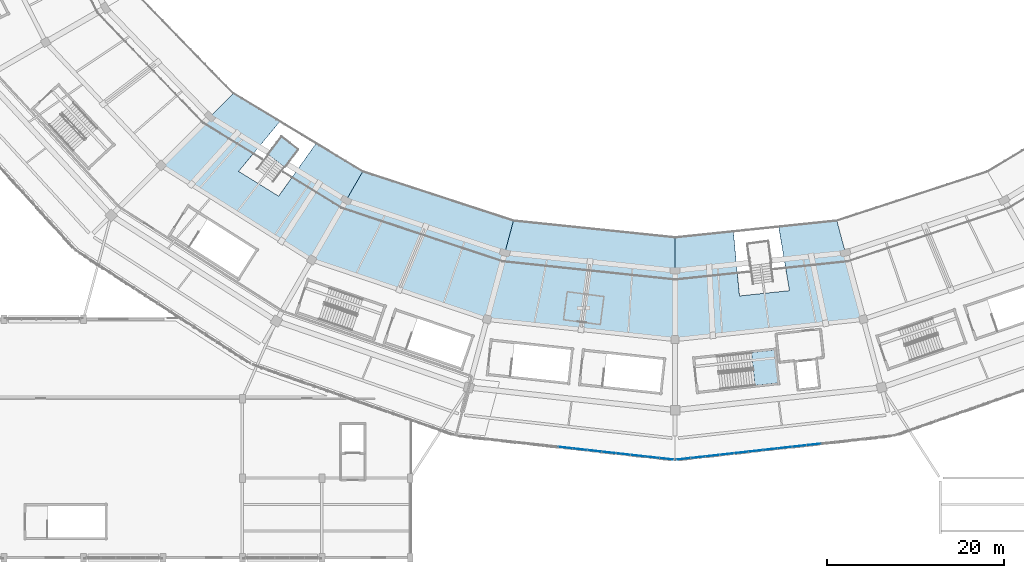
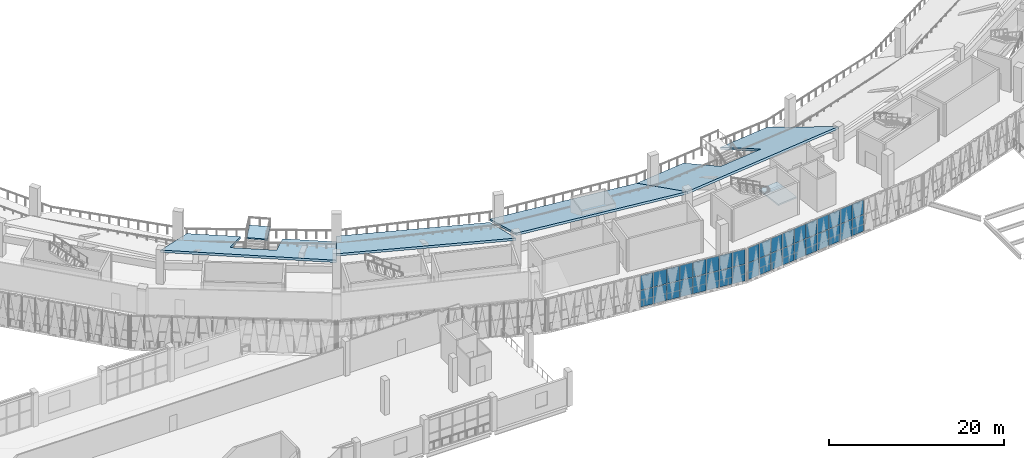
# One storey, part 73 of 152: 36 plates, 6 slabs, 4 elements without a shape of their own.
"""IFC4 building model written with IfcOpenShell, lengths in metres."""

from ifc_helpers import new_model, si_unit, direction, frame, origin, origin_2d, place, context, subcontext, project, spatial, polyline, rectangle, outline, extrude, material, layer, layer_set, type_object, element, aggregate, save


model = new_model("IFC4")

# Units and contexts
model_context = context("Model", 3, precision=1e-05, world=origin(), true_north=direction((0.0, 1.0)))
body_context = subcontext(model_context, "Body", "Model", "MODEL_VIEW")
ifc_project = project(units=[si_unit("LENGTHUNIT", "METRE"), si_unit("AREAUNIT", "SQUARE_METRE"), si_unit("VOLUMEUNIT", "CUBIC_METRE"), si_unit("PLANEANGLEUNIT", "RADIAN"), si_unit("MASSUNIT", "GRAM", prefix="KILO")], contexts=[model_context])

# Site, building, storey
site_placement = place(None, origin())
site = spatial("IfcSite", under=ifc_project, at=site_placement, CompositionType="ELEMENT")
building_placement = place(site_placement, origin())
building = spatial("IfcBuilding", under=site, at=building_placement, Name="Zevraka Park Crest Stadium", CompositionType="ELEMENT")
storey_placement = place(building_placement, frame((0.0, 0.0, 15.0)))
storey = spatial("IfcBuildingStorey", under=building, at=storey_placement, Name="L03", CompositionType="ELEMENT", Elevation=15.0)

# Curtain wall, plates
ifc_material_1 = material(Name="Anodised architectural aluminium and laminated safety glass", Category="aluminium")
curtain_wall_type = type_object("IfcCurtainWallType", Name="CW11", PredefinedType="NOTDEFINED", material=ifc_material_1)
curtain_wall_1_placement = place(storey_placement, origin())
curtain_wall_1 = element("IfcCurtainWall", 1, at=curtain_wall_1_placement, inside=storey, type_object=curtain_wall_type, Name="Unitised Ring Curtain Wall CW11 L03-17", PredefinedType="NOTDEFINED")
ifc_material_2 = material(Name="Solar-control laminated double glazing", Category="glass")
ifc_layer_1 = layer(ifc_material_2, 0.028076171875)
ifc_layer_set_1 = layer_set([ifc_layer_1], Name="Solar-control laminated double glazing")
plate_type = type_object("IfcPlateType", Name="CP11", PredefinedType="CURTAIN_PANEL", material=ifc_layer_set_1)
plate_1_placement = place(storey_placement, frame((99.58544921875, 12.45947265625, 0.06494140625), z_axis=(0.0, 0.0, 1.0), x_axis=(0.993887680665, -0.110396006373, 0.0)))
plate_1 = element("IfcPlate", 2, at=plate_1_placement, type_object=plate_type, Name="CW11 panel 8.1", PredefinedType="CURTAIN_PANEL", context=body_context, shape_type="SweptSolid", body=[
    extrude(rectangle(XDim=1.5830078125, YDim=0.028076171875, at=origin_2d()), origin(), (0.0, 0.0, 1.0), 2.302490234375),
])
plate_2_placement = place(storey_placement, frame((99.58544921875, 12.45947265625, 2.4326171875), z_axis=(0.0, 0.0, 1.0), x_axis=(0.993887680665, -0.110396006373, 0.0)))
plate_2 = element("IfcPlate", 3, at=plate_2_placement, type_object=plate_type, Name="CW11 panel 8.2", PredefinedType="CURTAIN_PANEL", context=body_context, shape_type="SweptSolid", body=[
    extrude(rectangle(XDim=1.5830078125, YDim=0.028076171875, at=origin_2d()), origin(), (0.0, 0.0, 1.0), 2.04248046875),
])
plate_3_placement = place(storey_placement, frame((101.223388671875, 12.277587890625, 0.06494140625), z_axis=(0.0, 0.0, 1.0), x_axis=(0.993887680665, -0.110396006373, 0.0)))
plate_3 = element("IfcPlate", 4, at=plate_3_placement, type_object=plate_type, Name="CW11 panel 9.1", PredefinedType="CURTAIN_PANEL", context=body_context, shape_type="SweptSolid", body=[
    extrude(rectangle(XDim=1.5830078125, YDim=0.028076171875, at=origin_2d()), origin(), (0.0, 0.0, 1.0), 2.302490234375),
])
plate_4_placement = place(storey_placement, frame((101.223388671875, 12.277587890625, 2.4326171875), z_axis=(0.0, 0.0, 1.0), x_axis=(0.993887680665, -0.110396006373, 0.0)))
plate_4 = element("IfcPlate", 5, at=plate_4_placement, type_object=plate_type, Name="CW11 panel 9.2", PredefinedType="CURTAIN_PANEL", context=body_context, shape_type="SweptSolid", body=[
    extrude(rectangle(XDim=1.5830078125, YDim=0.028076171875, at=origin_2d()), origin(), (0.0, 0.0, 1.0), 2.04248046875),
])
plate_5_placement = place(storey_placement, frame((102.861328125, 12.095703125, 0.06494140625), z_axis=(0.0, 0.0, 1.0), x_axis=(0.993887680665, -0.110396006373, 0.0)))
plate_5 = element("IfcPlate", 6, at=plate_5_placement, type_object=plate_type, Name="CW11 panel 10.1", PredefinedType="CURTAIN_PANEL", context=body_context, shape_type="SweptSolid", body=[
    extrude(rectangle(XDim=1.5830078125, YDim=0.028076171875, at=origin_2d()), origin(), (0.0, 0.0, 1.0), 2.302490234375),
])
plate_6_placement = place(storey_placement, frame((102.861328125, 12.095703125, 2.4326171875), z_axis=(0.0, 0.0, 1.0), x_axis=(0.993887680665, -0.110396006373, 0.0)))
plate_6 = element("IfcPlate", 7, at=plate_6_placement, type_object=plate_type, Name="CW11 panel 10.2", PredefinedType="CURTAIN_PANEL", context=body_context, shape_type="SweptSolid", body=[
    extrude(rectangle(XDim=1.5830078125, YDim=0.028076171875, at=origin_2d()), origin(), (0.0, 0.0, 1.0), 2.04248046875),
])
plate_7_placement = place(storey_placement, frame((104.499267578125, 11.913818359375, 0.06494140625), z_axis=(0.0, 0.0, 1.0), x_axis=(0.993887680665, -0.110396006373, 0.0)))
plate_7 = element("IfcPlate", 8, at=plate_7_placement, type_object=plate_type, Name="CW11 panel 11.1", PredefinedType="CURTAIN_PANEL", context=body_context, shape_type="SweptSolid", body=[
    extrude(rectangle(XDim=1.5830078125, YDim=0.028076171875, at=origin_2d()), origin(), (0.0, 0.0, 1.0), 2.302490234375),
])
plate_8_placement = place(storey_placement, frame((104.499267578125, 11.913818359375, 2.4326171875), z_axis=(0.0, 0.0, 1.0), x_axis=(0.993887680665, -0.110396006373, 0.0)))
plate_8 = element("IfcPlate", 9, at=plate_8_placement, type_object=plate_type, Name="CW11 panel 11.2", PredefinedType="CURTAIN_PANEL", context=body_context, shape_type="SweptSolid", body=[
    extrude(rectangle(XDim=1.5830078125, YDim=0.028076171875, at=origin_2d()), origin(), (0.0, 0.0, 1.0), 2.04248046875),
])
plate_9_placement = place(storey_placement, frame((106.13720703125, 11.731689453125, 0.06494140625), z_axis=(0.0, 0.0, 1.0), x_axis=(0.993887680665, -0.110396006373, 0.0)))
plate_9 = element("IfcPlate", 10, at=plate_9_placement, type_object=plate_type, Name="CW11 panel 12.1", PredefinedType="CURTAIN_PANEL", context=body_context, shape_type="SweptSolid", body=[
    extrude(rectangle(XDim=1.5830078125, YDim=0.028076171875, at=origin_2d()), origin(), (0.0, 0.0, 1.0), 2.302490234375),
])
plate_10_placement = place(storey_placement, frame((106.13720703125, 11.731689453125, 2.4326171875), z_axis=(0.0, 0.0, 1.0), x_axis=(0.993887680665, -0.110396006373, 0.0)))
plate_10 = element("IfcPlate", 11, at=plate_10_placement, type_object=plate_type, Name="CW11 panel 12.2", PredefinedType="CURTAIN_PANEL", context=body_context, shape_type="SweptSolid", body=[
    extrude(rectangle(XDim=1.5830078125, YDim=0.028076171875, at=origin_2d()), origin(), (0.0, 0.0, 1.0), 2.04248046875),
])
plate_11_placement = place(storey_placement, frame((107.775146484375, 11.5498046875, 0.06494140625), z_axis=(0.0, 0.0, 1.0), x_axis=(0.993887680665, -0.110396006373, 0.0)))
plate_11 = element("IfcPlate", 12, at=plate_11_placement, type_object=plate_type, Name="CW11 panel 13.1", PredefinedType="CURTAIN_PANEL", context=body_context, shape_type="SweptSolid", body=[
    extrude(rectangle(XDim=1.5830078125, YDim=0.028076171875, at=origin_2d()), origin(), (0.0, 0.0, 1.0), 2.302490234375),
])
plate_12_placement = place(storey_placement, frame((107.775146484375, 11.5498046875, 2.4326171875), z_axis=(0.0, 0.0, 1.0), x_axis=(0.993887680665, -0.110396006373, 0.0)))
plate_12 = element("IfcPlate", 13, at=plate_12_placement, type_object=plate_type, Name="CW11 panel 13.2", PredefinedType="CURTAIN_PANEL", context=body_context, shape_type="SweptSolid", body=[
    extrude(rectangle(XDim=1.5830078125, YDim=0.028076171875, at=origin_2d()), origin(), (0.0, 0.0, 1.0), 2.04248046875),
])
plate_13_placement = place(storey_placement, frame((109.4130859375, 11.367919921875, 0.06494140625), z_axis=(0.0, 0.0, 1.0), x_axis=(0.993887680665, -0.110396006373, 0.0)))
plate_13 = element("IfcPlate", 14, at=plate_13_placement, type_object=plate_type, Name="CW11 panel 14.1", PredefinedType="CURTAIN_PANEL", context=body_context, shape_type="SweptSolid", body=[
    extrude(rectangle(XDim=1.5830078125, YDim=0.028076171875, at=origin_2d()), origin(), (0.0, 0.0, 1.0), 2.302490234375),
])
plate_14_placement = place(storey_placement, frame((109.4130859375, 11.367919921875, 2.4326171875), z_axis=(0.0, 0.0, 1.0), x_axis=(0.993887680665, -0.110396006373, 0.0)))
plate_14 = element("IfcPlate", 15, at=plate_14_placement, type_object=plate_type, Name="CW11 panel 14.2", PredefinedType="CURTAIN_PANEL", context=body_context, shape_type="SweptSolid", body=[
    extrude(rectangle(XDim=1.5830078125, YDim=0.028076171875, at=origin_2d()), origin(), (0.0, 0.0, 1.0), 2.04248046875),
])
plate_15_placement = place(storey_placement, frame((111.034912109375, 11.187744140625, 0.06494140625), z_axis=(0.0, 0.0, 1.0), x_axis=(0.993887680665, -0.110396006373, 0.0)))
plate_15 = element("IfcPlate", 16, at=plate_15_placement, type_object=plate_type, Name="CW11 panel 15.1", PredefinedType="CURTAIN_PANEL", context=body_context, shape_type="SweptSolid", body=[
    extrude(rectangle(XDim=1.550537109375, YDim=0.028076171875, at=origin_2d()), origin(), (0.0, 0.0, 1.0), 2.302490234375),
])
plate_16_placement = place(storey_placement, frame((111.034912109375, 11.187744140625, 2.4326171875), z_axis=(0.0, 0.0, 1.0), x_axis=(0.993887680665, -0.110396006373, 0.0)))
plate_16 = element("IfcPlate", 17, at=plate_16_placement, type_object=plate_type, Name="CW11 panel 15.2", PredefinedType="CURTAIN_PANEL", context=body_context, shape_type="SweptSolid", body=[
    extrude(rectangle(XDim=1.550537109375, YDim=0.028076171875, at=origin_2d()), origin(), (0.0, 0.0, 1.0), 2.04248046875),
])
aggregate(curtain_wall_1, [plate_1, plate_2, plate_3, plate_4, plate_5, plate_6, plate_7, plate_8, plate_9, plate_10, plate_11, plate_12, plate_13, plate_14, plate_15, plate_16])

curtain_wall_2_placement = place(storey_placement, origin())
curtain_wall_2 = element("IfcCurtainWall", 18, at=curtain_wall_2_placement, inside=storey, type_object=curtain_wall_type, Name="Unitised Ring Curtain Wall CW11 L03-18", PredefinedType="NOTDEFINED")
plate_17_placement = place(storey_placement, frame((112.965087890625, 11.187744140625, 0.06494140625), z_axis=(0.0, 0.0, 1.0), x_axis=(0.993887680665, 0.110396006373, 0.0)))
plate_17 = element("IfcPlate", 19, at=plate_17_placement, type_object=plate_type, Name="CW11 panel 1.1", PredefinedType="CURTAIN_PANEL", context=body_context, shape_type="SweptSolid", body=[
    extrude(rectangle(XDim=1.550537109375, YDim=0.028076171875, at=origin_2d()), origin(), (0.0, 0.0, 1.0), 2.302490234375),
])
plate_18_placement = place(storey_placement, frame((112.965087890625, 11.187744140625, 2.4326171875), z_axis=(0.0, 0.0, 1.0), x_axis=(0.993887680665, 0.110396006373, 0.0)))
plate_18 = element("IfcPlate", 20, at=plate_18_placement, type_object=plate_type, Name="CW11 panel 1.2", PredefinedType="CURTAIN_PANEL", context=body_context, shape_type="SweptSolid", body=[
    extrude(rectangle(XDim=1.550537109375, YDim=0.028076171875, at=origin_2d()), origin(), (0.0, 0.0, 1.0), 2.04248046875),
])
plate_19_placement = place(storey_placement, frame((114.5869140625, 11.367919921875, 0.06494140625), z_axis=(0.0, 0.0, 1.0), x_axis=(0.993887680665, 0.110396006373, 0.0)))
plate_19 = element("IfcPlate", 21, at=plate_19_placement, type_object=plate_type, Name="CW11 panel 2.1", PredefinedType="CURTAIN_PANEL", context=body_context, shape_type="SweptSolid", body=[
    extrude(rectangle(XDim=1.5830078125, YDim=0.028076171875, at=origin_2d()), origin(), (0.0, 0.0, 1.0), 2.302490234375),
])
plate_20_placement = place(storey_placement, frame((114.5869140625, 11.367919921875, 2.4326171875), z_axis=(0.0, 0.0, 1.0), x_axis=(0.993887680665, 0.110396006373, 0.0)))
plate_20 = element("IfcPlate", 22, at=plate_20_placement, type_object=plate_type, Name="CW11 panel 2.2", PredefinedType="CURTAIN_PANEL", context=body_context, shape_type="SweptSolid", body=[
    extrude(rectangle(XDim=1.5830078125, YDim=0.028076171875, at=origin_2d()), origin(), (0.0, 0.0, 1.0), 2.04248046875),
])
plate_21_placement = place(storey_placement, frame((116.224853515625, 11.5498046875, 0.06494140625), z_axis=(0.0, 0.0, 1.0), x_axis=(0.993887680665, 0.110396006373, 0.0)))
plate_21 = element("IfcPlate", 23, at=plate_21_placement, type_object=plate_type, Name="CW11 panel 3.1", PredefinedType="CURTAIN_PANEL", context=body_context, shape_type="SweptSolid", body=[
    extrude(rectangle(XDim=1.5830078125, YDim=0.028076171875, at=origin_2d()), origin(), (0.0, 0.0, 1.0), 2.302490234375),
])
plate_22_placement = place(storey_placement, frame((116.224853515625, 11.5498046875, 2.4326171875), z_axis=(0.0, 0.0, 1.0), x_axis=(0.993887680665, 0.110396006373, 0.0)))
plate_22 = element("IfcPlate", 24, at=plate_22_placement, type_object=plate_type, Name="CW11 panel 3.2", PredefinedType="CURTAIN_PANEL", context=body_context, shape_type="SweptSolid", body=[
    extrude(rectangle(XDim=1.5830078125, YDim=0.028076171875, at=origin_2d()), origin(), (0.0, 0.0, 1.0), 2.04248046875),
])
plate_23_placement = place(storey_placement, frame((117.86279296875, 11.731689453125, 0.06494140625), z_axis=(0.0, 0.0, 1.0), x_axis=(0.993887680665, 0.110396006373, 0.0)))
plate_23 = element("IfcPlate", 25, at=plate_23_placement, type_object=plate_type, Name="CW11 panel 4.1", PredefinedType="CURTAIN_PANEL", context=body_context, shape_type="SweptSolid", body=[
    extrude(rectangle(XDim=1.5830078125, YDim=0.028076171875, at=origin_2d()), origin(), (0.0, 0.0, 1.0), 2.302490234375),
])
plate_24_placement = place(storey_placement, frame((117.86279296875, 11.731689453125, 2.4326171875), z_axis=(0.0, 0.0, 1.0), x_axis=(0.993887680665, 0.110396006373, 0.0)))
plate_24 = element("IfcPlate", 26, at=plate_24_placement, type_object=plate_type, Name="CW11 panel 4.2", PredefinedType="CURTAIN_PANEL", context=body_context, shape_type="SweptSolid", body=[
    extrude(rectangle(XDim=1.5830078125, YDim=0.028076171875, at=origin_2d()), origin(), (0.0, 0.0, 1.0), 2.04248046875),
])
plate_25_placement = place(storey_placement, frame((119.500732421875, 11.913818359375, 0.06494140625), z_axis=(0.0, 0.0, 1.0), x_axis=(0.993887680665, 0.110396006373, 0.0)))
plate_25 = element("IfcPlate", 27, at=plate_25_placement, type_object=plate_type, Name="CW11 panel 5.1", PredefinedType="CURTAIN_PANEL", context=body_context, shape_type="SweptSolid", body=[
    extrude(rectangle(XDim=1.5830078125, YDim=0.028076171875, at=origin_2d()), origin(), (0.0, 0.0, 1.0), 2.302490234375),
])
plate_26_placement = place(storey_placement, frame((119.500732421875, 11.913818359375, 2.4326171875), z_axis=(0.0, 0.0, 1.0), x_axis=(0.993887680665, 0.110396006373, 0.0)))
plate_26 = element("IfcPlate", 28, at=plate_26_placement, type_object=plate_type, Name="CW11 panel 5.2", PredefinedType="CURTAIN_PANEL", context=body_context, shape_type="SweptSolid", body=[
    extrude(rectangle(XDim=1.5830078125, YDim=0.028076171875, at=origin_2d()), origin(), (0.0, 0.0, 1.0), 2.04248046875),
])
plate_27_placement = place(storey_placement, frame((121.138671875, 12.095703125, 0.06494140625), z_axis=(0.0, 0.0, 1.0), x_axis=(0.993887680665, 0.110396006373, 0.0)))
plate_27 = element("IfcPlate", 29, at=plate_27_placement, type_object=plate_type, Name="CW11 panel 6.1", PredefinedType="CURTAIN_PANEL", context=body_context, shape_type="SweptSolid", body=[
    extrude(rectangle(XDim=1.5830078125, YDim=0.028076171875, at=origin_2d()), origin(), (0.0, 0.0, 1.0), 2.302490234375),
])
plate_28_placement = place(storey_placement, frame((121.138671875, 12.095703125, 2.4326171875), z_axis=(0.0, 0.0, 1.0), x_axis=(0.993887680665, 0.110396006373, 0.0)))
plate_28 = element("IfcPlate", 30, at=plate_28_placement, type_object=plate_type, Name="CW11 panel 6.2", PredefinedType="CURTAIN_PANEL", context=body_context, shape_type="SweptSolid", body=[
    extrude(rectangle(XDim=1.5830078125, YDim=0.028076171875, at=origin_2d()), origin(), (0.0, 0.0, 1.0), 2.04248046875),
])
plate_29_placement = place(storey_placement, frame((122.776611328125, 12.277587890625, 0.06494140625), z_axis=(0.0, 0.0, 1.0), x_axis=(0.993887680665, 0.110396006373, 0.0)))
plate_29 = element("IfcPlate", 31, at=plate_29_placement, type_object=plate_type, Name="CW11 panel 7.1", PredefinedType="CURTAIN_PANEL", context=body_context, shape_type="SweptSolid", body=[
    extrude(rectangle(XDim=1.5830078125, YDim=0.028076171875, at=origin_2d()), origin(), (0.0, 0.0, 1.0), 2.302490234375),
])
plate_30_placement = place(storey_placement, frame((122.776611328125, 12.277587890625, 2.4326171875), z_axis=(0.0, 0.0, 1.0), x_axis=(0.993887680665, 0.110396006373, 0.0)))
plate_30 = element("IfcPlate", 32, at=plate_30_placement, type_object=plate_type, Name="CW11 panel 7.2", PredefinedType="CURTAIN_PANEL", context=body_context, shape_type="SweptSolid", body=[
    extrude(rectangle(XDim=1.5830078125, YDim=0.028076171875, at=origin_2d()), origin(), (0.0, 0.0, 1.0), 2.04248046875),
])
plate_31_placement = place(storey_placement, frame((124.41455078125, 12.45947265625, 0.06494140625), z_axis=(0.0, 0.0, 1.0), x_axis=(0.993887680665, 0.110396006373, 0.0)))
plate_31 = element("IfcPlate", 33, at=plate_31_placement, type_object=plate_type, Name="CW11 panel 8.1", PredefinedType="CURTAIN_PANEL", context=body_context, shape_type="SweptSolid", body=[
    extrude(rectangle(XDim=1.5830078125, YDim=0.028076171875, at=origin_2d()), origin(), (0.0, 0.0, 1.0), 2.302490234375),
])
plate_32_placement = place(storey_placement, frame((124.41455078125, 12.45947265625, 2.4326171875), z_axis=(0.0, 0.0, 1.0), x_axis=(0.993887680665, 0.110396006373, 0.0)))
plate_32 = element("IfcPlate", 34, at=plate_32_placement, type_object=plate_type, Name="CW11 panel 8.2", PredefinedType="CURTAIN_PANEL", context=body_context, shape_type="SweptSolid", body=[
    extrude(rectangle(XDim=1.5830078125, YDim=0.028076171875, at=origin_2d()), origin(), (0.0, 0.0, 1.0), 2.04248046875),
])
plate_33_placement = place(storey_placement, frame((126.052490234375, 12.641357421875, 0.06494140625), z_axis=(0.0, 0.0, 1.0), x_axis=(0.993887680665, 0.110396006373, 0.0)))
plate_33 = element("IfcPlate", 35, at=plate_33_placement, type_object=plate_type, Name="CW11 panel 9.1", PredefinedType="CURTAIN_PANEL", context=body_context, shape_type="SweptSolid", body=[
    extrude(rectangle(XDim=1.5830078125, YDim=0.028076171875, at=origin_2d()), origin(), (0.0, 0.0, 1.0), 2.302490234375),
])
plate_34_placement = place(storey_placement, frame((126.052490234375, 12.641357421875, 2.4326171875), z_axis=(0.0, 0.0, 1.0), x_axis=(0.993887680665, 0.110396006373, 0.0)))
plate_34 = element("IfcPlate", 36, at=plate_34_placement, type_object=plate_type, Name="CW11 panel 9.2", PredefinedType="CURTAIN_PANEL", context=body_context, shape_type="SweptSolid", body=[
    extrude(rectangle(XDim=1.5830078125, YDim=0.028076171875, at=origin_2d()), origin(), (0.0, 0.0, 1.0), 2.04248046875),
])
plate_35_placement = place(storey_placement, frame((127.6904296875, 12.823486328125, 0.06494140625), z_axis=(0.0, 0.0, 1.0), x_axis=(0.993887680665, 0.110396006373, 0.0)))
plate_35 = element("IfcPlate", 37, at=plate_35_placement, type_object=plate_type, Name="CW11 panel 10.1", PredefinedType="CURTAIN_PANEL", context=body_context, shape_type="SweptSolid", body=[
    extrude(rectangle(XDim=1.5830078125, YDim=0.028076171875, at=origin_2d()), origin(), (0.0, 0.0, 1.0), 2.302490234375),
])
plate_36_placement = place(storey_placement, frame((127.6904296875, 12.823486328125, 2.4326171875), z_axis=(0.0, 0.0, 1.0), x_axis=(0.993887680665, 0.110396006373, 0.0)))
plate_36 = element("IfcPlate", 38, at=plate_36_placement, type_object=plate_type, Name="CW11 panel 10.2", PredefinedType="CURTAIN_PANEL", context=body_context, shape_type="SweptSolid", body=[
    extrude(rectangle(XDim=1.5830078125, YDim=0.028076171875, at=origin_2d()), origin(), (0.0, 0.0, 1.0), 2.04248046875),
])
aggregate(curtain_wall_2, [plate_17, plate_18, plate_19, plate_20, plate_21, plate_22, plate_23, plate_24, plate_25, plate_26, plate_27, plate_28, plate_29, plate_30, plate_31, plate_32, plate_33, plate_34, plate_35, plate_36])

# Stair, slab
ifc_material_3 = material(Name="Concrete C35/45", Category="concrete")
stair_type_1 = type_object("IfcStairType", Name="STA2", PredefinedType="HALF_TURN_STAIR", material=ifc_material_3)
stair_1_placement = place(storey_placement, origin())
stair_1 = element("IfcStair", 39, at=stair_1_placement, inside=storey, type_object=stair_type_1, Name="L03 Protected Concourse Exit Stair ST19", PredefinedType="HALF_TURN_STAIR")
ifc_material_4 = material(Name="Concrete C35/45", Category="concrete")
ifc_layer_2 = layer(ifc_material_4, 0.199951171875)
ifc_layer_set_2 = layer_set([ifc_layer_2], Name="Concrete C35/45")
slab_type_1 = type_object("IfcSlabType", Name="LS01", PredefinedType="LANDING", material=ifc_layer_set_2)
slab_1_placement = place(storey_placement, frame((0.0, 0.0, 2.199951171875)))
slab_1 = element("IfcSlab", 40, at=slab_1_placement, type_object=slab_type_1, Name="ST19 landing 1", PredefinedType="LANDING", context=body_context, shape_type="SweptSolid", body=[
    extrude(outline(polyline([(121.0390625, 19.492919921875), (123.6337890625, 19.775390625), (123.22705078125, 23.51318359375), (120.63232421875, 23.230712890625), (121.0390625, 19.492919921875)])), origin(), (0.0, 0.0, 1.0), 0.199951171875),
])
aggregate(stair_1, [slab_1])

ifc_material_5 = material(Name="Concrete C35/45", Category="concrete")
stair_type_2 = type_object("IfcStairType", Name="VST1", PredefinedType="STRAIGHT_RUN_STAIR", material=ifc_material_5)
stair_2_placement = place(storey_placement, origin())
stair_2 = element("IfcStair", 41, at=stair_2_placement, inside=storey, type_object=stair_type_2, Name="Vomitory Stair VS-14", PredefinedType="STRAIGHT_RUN_STAIR")
ifc_material_6 = material(Name="Concrete C35/45", Category="concrete")
ifc_layer_3 = layer(ifc_material_6, 0.179931640625)
ifc_layer_set_3 = layer_set([ifc_layer_3], Name="Concrete C35/45")
slab_type_2 = type_object("IfcSlabType", Name="LS02", PredefinedType="LANDING", material=ifc_layer_set_3)
slab_2_placement = place(storey_placement, frame((0.0, 0.0, 1.02001953125)))
slab_2 = element("IfcSlab", 42, at=slab_2_placement, type_object=slab_type_2, Name="VST1 landing 1", PredefinedType="LANDING", context=body_context, shape_type="SweptSolid", body=[
    extrude(outline(polyline([(67.7890625, 44.2109375), (69.325927734375, 46.214111328125), (67.422119140625, 47.675048828125), (65.885009765625, 45.672119140625), (67.7890625, 44.2109375)])), origin(), (0.0, 0.0, 1.0), 0.179931640625),
])
aggregate(stair_2, [slab_2])

# Slabs
ifc_material_7 = material(Name="Concrete C35/45", Category="concrete")
ifc_layer_4 = layer(ifc_material_7, 0.27001953125)
ifc_layer_set_4 = layer_set([ifc_layer_4], Name="Concrete C35/45")
slab_type_3 = type_object("IfcSlabType", Name="STU1", PredefinedType="USERDEFINED", material=ifc_layer_set_4)
slab_3_placement = place(storey_placement, frame((61.971923828125, 52.5791015625, -1.046142578125), z_axis=(0.263416150814, 0.343300308602, 0.901530271042), x_axis=(0.854498267097, -0.516754088466, -0.05289540228)))
element("IfcSlab", 43, at=slab_3_placement, inside=storey, type_object=slab_type_3, Name="Upper Tier Cantilevered Raked Seating Slab 15", ObjectType="SEATING TIER", PredefinedType="USERDEFINED", context=body_context, shape_type="SweptSolid", body=[
    extrude(outline(polyline([(0.0, 0.0), (6.173423774266323, -1.3877787807814457e-16), (4.9113016927509285, -8.03546708578529), (10.248946658225613, -8.100225022738734), (10.974449876961877, 0.0012004614837047844), (17.14753887282108, 0.0012826341184937196), (17.091205722375133, -12.790016752575546), (-3.049072158129783, -12.422146684090336), (0.0, 0.0)])), origin(), (0.0, 0.0, -1.0), 0.27001953125),
])
slab_4_placement = place(storey_placement, frame((76.625, 43.718994140625, -1.16064453125), z_axis=(0.168378693014, 0.406482410926, 0.898009279099), x_axis=(0.949973037771, -0.310038083105, -0.037783786636)))
element("IfcSlab", 44, at=slab_4_placement, inside=storey, type_object=slab_type_3, Name="Upper Tier Cantilevered Raked Seating Slab 16", ObjectType="SEATING TIER", PredefinedType="USERDEFINED", context=body_context, shape_type="SweptSolid", body=[
    extrude(outline(polyline([(0.0, 0.0), (17.962581333625103, -7.216449660063518e-16), (18.36926189557556, -12.834891235849575), (-2.596701927528338, -12.575532698699957), (0.0, 0.0)])), origin(), (0.0, 0.0, -1.0), 0.27001953125),
])
slab_5_placement = place(storey_placement, frame((93.68896484375, 38.14990234375, -1.37109375), z_axis=(0.059157149735, 0.449259593937, 0.891440547031), x_axis=(0.994563235924, -0.103189537468, -0.013996038893)))
element("IfcSlab", 45, at=slab_5_placement, inside=storey, type_object=slab_type_3, Name="Upper Tier Cantilevered Raked Seating Slab 17", ObjectType="SEATING TIER", PredefinedType="USERDEFINED", context=body_context, shape_type="SweptSolid", body=[
    extrude(outline(polyline([(0.0, 0.0), (18.41114077598878, -3.7470027081099033e-16), (19.521513401177323, -12.886243227826359), (-1.9039220783490531, -12.793668084042888), (0.0, 0.0)])), origin(), (0.0, 0.0, -1.0), 0.27001953125),
])
slab_6_placement = place(storey_placement, frame((112.0, 36.25, -1.62890625), z_axis=(-0.059156687626, 0.449257193484, 0.89144178745), x_axis=(0.994561751695, 0.103204942573, 0.013987919561)))
element("IfcSlab", 46, at=slab_6_placement, inside=storey, type_object=slab_type_3, Name="Upper Tier Cantilevered Raked Seating Slab 18", ObjectType="SEATING TIER", PredefinedType="USERDEFINED", context=body_context, shape_type="SweptSolid", body=[
    extrude(outline(polyline([(0.0, 0.0), (6.628090213877581, 6.245004513516506e-17), (6.611822214926782, -8.226508991458461), (12.307350303019104, -8.209301853074988), (11.783075755785312, -0.00010508686291281488), (18.41114077314371, -0.0003217424743992836), (20.314839276189126, -12.794023096797563), (-1.1105978178902565, -12.886223821158584), (0.0, 0.0)])), origin(), (0.0, 0.0, -1.0), 0.27001953125),
])

save(model, "model.ifc")
